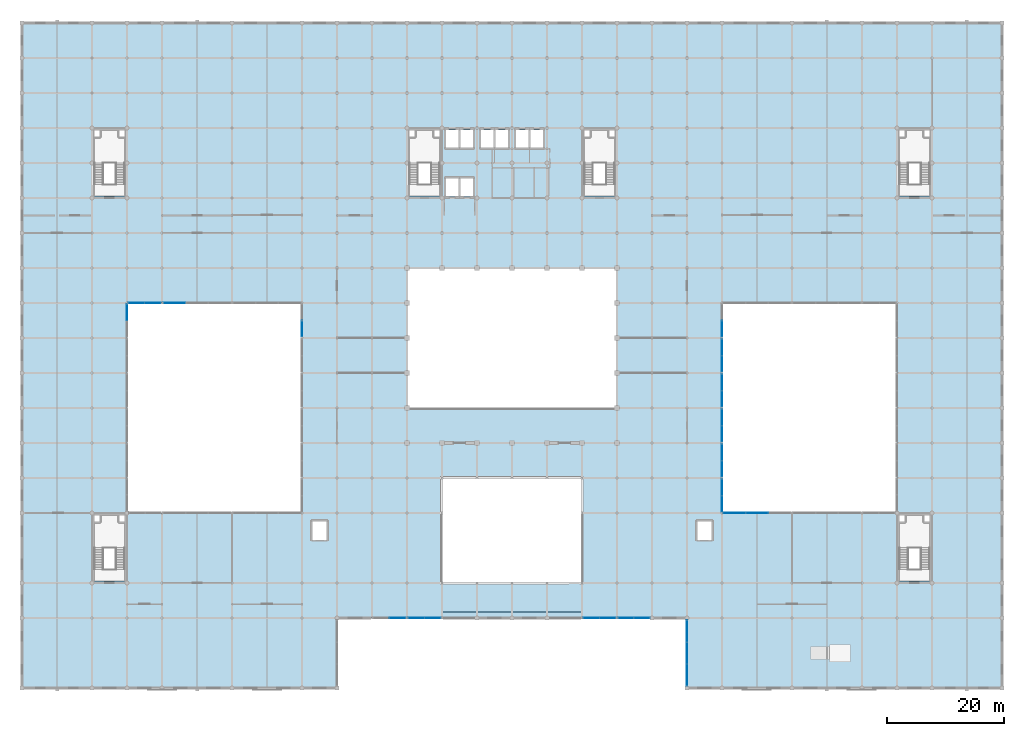
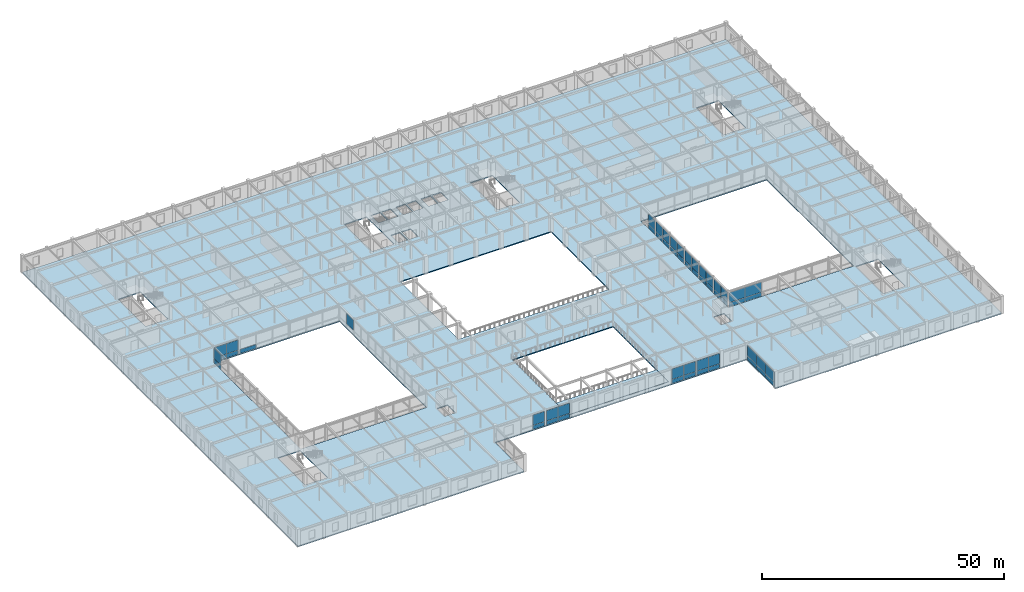
# One storey, part 94 of 108: 54 plates, 2 slabs, 16 elements without a shape of their own.
"""IFC4 building model written with IfcOpenShell, lengths in metres."""

import ifcopenshell
import ifcopenshell.guid

model = None  # the IFC model being written
_history = None  # IfcOwnerHistory: only IFC2X3 demands one
_inside = {}  # id of a spatial element -> (the spatial element, [elements in it])
_under = {}  # id of a project, library or spatial element -> (it, [spatial elements below it])
_declared = {}  # id of a project -> (the project, [libraries it declares])
_typed = {}  # id of a type object -> (the type object, [elements of that type])
_made_of = {}  # id of a material, layer set ... -> (it, [elements and type objects made of it])


def new_model(schema):
    """Start an empty IFC model of exactly this schema.

    Asked for "IFC4X3", IfcOpenShell would pick the latest addendum, in which some entities
    have other attributes; the version numbers below select the first issue.
    IFC2X3 requires an IfcOwnerHistory on every rooted entity: one is made here for all.
    """
    global model, _history
    if schema == "IFC4X3":
        model = ifcopenshell.file(schema_version=(4, 3, 0, 0))
    else:
        model = ifcopenshell.file(schema=schema)
    _inside.clear()
    _under.clear()
    _declared.clear()
    _typed.clear()
    _made_of.clear()
    _history = None
    if model.schema == "IFC2X3":
        org = make("IfcOrganization", Name="unknown")
        user = make(
            "IfcPersonAndOrganization",
            ThePerson=make("IfcPerson", FamilyName="unknown"),
            TheOrganization=org,
        )
        app = make(
            "IfcApplication",
            ApplicationDeveloper=org,
            Version="unknown",
            ApplicationFullName="unknown",
            ApplicationIdentifier="unknown",
        )
        _history = make(
            "IfcOwnerHistory",
            OwningUser=user,
            OwningApplication=app,
            ChangeAction="ADDED",
            CreationDate=0,
        )
    return model


def make(cls, **values):
    """One entity of the class cls with the attributes given. An attribute that is None is left unset."""
    return model.create_entity(
        cls, **{name: value for name, value in values.items() if value is not None}
    )


def rooted(cls, **values):
    """An entity with a GlobalId (a new one), such as an element, a storey or a relation."""
    return make(cls, GlobalId=ifcopenshell.guid.new(), OwnerHistory=_history, **values)


def si_unit(unit_type, name, prefix=None):
    """IfcSIUnit, for example si_unit("LENGTHUNIT", "METRE", prefix="MILLI")."""
    return make("IfcSIUnit", UnitType=unit_type, Prefix=prefix, Name=name)


def assignment(units):
    """IfcUnitAssignment: the units of a project."""
    return None if units is None else make("IfcUnitAssignment", Units=units)


def point(xyz):
    """IfcCartesianPoint."""
    return None if xyz is None else make("IfcCartesianPoint", Coordinates=xyz)


def direction(xyz):
    """IfcDirection."""
    return None if xyz is None else make("IfcDirection", DirectionRatios=xyz)


def frame(location, z_axis=None, x_axis=None):
    """IfcAxis2Placement3D, a coordinate frame: its origin and axes. An axis left out is left unset."""
    return make(
        "IfcAxis2Placement3D",
        Location=point(location),
        Axis=direction(z_axis),
        RefDirection=direction(x_axis),
    )


def frame_2d(location, x_axis=None):
    """IfcAxis2Placement2D, a coordinate frame in the plane: its origin and x axis."""
    return make(
        "IfcAxis2Placement2D", Location=point(location), RefDirection=direction(x_axis)
    )


def origin():
    """The frame at (0, 0, 0) with its axes left unset."""
    return frame((0.0, 0.0, 0.0))


def origin_2d():
    """The frame at (0, 0) in the plane with its x axis left unset."""
    return frame_2d((0.0, 0.0))


def place(relative_to, where):
    """IfcLocalPlacement: puts the frame where relative to a parent placement (None: the world)."""
    return make(
        "IfcLocalPlacement", PlacementRelTo=relative_to, RelativePlacement=where
    )


def context(
    kind, dimensions, precision=None, world=None, true_north=None, identifier=None
):
    """IfcGeometricRepresentationContext, for example the 3D "Model" context."""
    return make(
        "IfcGeometricRepresentationContext",
        ContextIdentifier=identifier,
        ContextType=kind,
        CoordinateSpaceDimension=dimensions,
        Precision=precision,
        WorldCoordinateSystem=world,
        TrueNorth=true_north,
    )


def subcontext(parent, identifier, kind, view, scale=None):
    """IfcGeometricRepresentationSubContext, for example "Body" below "Model"."""
    return make(
        "IfcGeometricRepresentationSubContext",
        ContextIdentifier=identifier,
        ContextType=kind,
        ParentContext=parent,
        TargetScale=scale,
        TargetView=view,
    )


def project(units=None, contexts=None):
    """IfcProject with its units and contexts."""
    return rooted(
        "IfcProject",
        Name="project",
        RepresentationContexts=contexts,
        UnitsInContext=assignment(units),
    )


def spatial(cls, under=None, at=None, **own):
    """A site, building, storey or space (cls), placed at a placement, below another one or the project."""
    s = rooted(cls, ObjectPlacement=at, **own)
    if under is not None:
        _under.setdefault(under.id(), (under, []))[1].append(s)
    return s


def polyline(points):
    """IfcPolyline through the points."""
    return make("IfcPolyline", Points=[point(p) for p in points])


def profile(cls, at=None, kind="AREA", **sizes):
    """A parametric profile (cls). Its sizes go by their IFC names, for example OverallWidth=200.0."""
    return make(cls, ProfileType=kind, Position=at, **sizes)


def rectangle(**sizes):
    """IfcRectangleProfileDef."""
    return profile("IfcRectangleProfileDef", **sizes)


def outline(outer, holes=None, kind="AREA"):
    """IfcArbitraryClosedProfileDef: a profile drawn as a closed curve; with holes, ...WithVoids."""
    if holes is None:
        return make("IfcArbitraryClosedProfileDef", ProfileType=kind, OuterCurve=outer)
    return make(
        "IfcArbitraryProfileDefWithVoids",
        ProfileType=kind,
        OuterCurve=outer,
        InnerCurves=holes,
    )


def extrude(swept, where, along, depth):
    """IfcExtrudedAreaSolid: the profile swept, set in the frame where, extruded along a direction by depth."""
    return make(
        "IfcExtrudedAreaSolid",
        SweptArea=swept,
        Position=where,
        ExtrudedDirection=direction(along),
        Depth=depth,
    )


def shape(context_of_items, identifier, shape_type, items):
    """IfcShapeRepresentation: the items that make up one representation, for example the "Body"."""
    return make(
        "IfcShapeRepresentation",
        ContextOfItems=context_of_items,
        RepresentationIdentifier=identifier,
        RepresentationType=shape_type,
        Items=items,
    )


def material(Name=None, Category=None):
    """IfcMaterial."""
    return make("IfcMaterial", Name=Name, Category=Category)


def layer(
    of_material, thickness, ventilated=None, Name=None, Category=None, Priority=None
):
    """IfcMaterialLayer: one layer of a wall or slab, of a material (None: an air gap)."""
    return make(
        "IfcMaterialLayer",
        Material=of_material,
        LayerThickness=thickness,
        IsVentilated=ventilated,
        Name=Name,
        Category=Category,
        Priority=Priority,
    )


def layer_set(layers, Name=None):
    """IfcMaterialLayerSet."""
    return make("IfcMaterialLayerSet", MaterialLayers=layers, LayerSetName=Name)


def made_of(thing, what):
    """Note that an element or type object is made of a material, layer set ...; save() writes the relation."""
    if what is not None:
        _made_of.setdefault(what.id(), (what, []))[1].append(thing)
    return thing


def type_object(cls, material=None, **own):
    """A type object (cls), such as IfcWallType, which elements share."""
    return made_of(rooted(cls, **own), material)


def element(
    cls,
    number,
    at=None,
    inside=None,
    cuts=None,
    type_object=None,
    material=None,
    context=None,
    identifier="Body",
    shape_type=None,
    held_by="IfcProductDefinitionShape",
    body=None,
    shapes=None,
    **own,
):
    """One element of the class cls, such as IfcWall. Its Tag is "e" and its number.

    at: its placement. inside: the storey or other place that contains it. cuts: it is an
    opening in that element (IfcRelVoidsElement). A single representation is given by context,
    identifier, shape_type and body (its items); several are given by shapes. held_by: the class
    of the entity that holds the representations. save() writes the other relations.
    """
    e = rooted(cls, Tag="e%d" % number, ObjectPlacement=at, **own)
    if body is not None:
        shapes = [shape(context, identifier, shape_type, body)]
    if shapes is not None:
        e.Representation = make(held_by, Representations=shapes)
    if inside is not None:
        _inside.setdefault(inside.id(), (inside, []))[1].append(e)
    if cuts is not None:
        rooted(
            "IfcRelVoidsElement", RelatingBuildingElement=cuts, RelatedOpeningElement=e
        )
    if type_object is not None:
        _typed.setdefault(type_object.id(), (type_object, []))[1].append(e)
    return made_of(e, material)


def aggregate(whole, parts):
    """IfcRelAggregates: a whole, such as a stair, and the parts it consists of."""
    return rooted("IfcRelAggregates", RelatingObject=whole, RelatedObjects=parts)


def save(model, path):
    """Write the relations noted so far, then the file.

    IfcRelAggregates (storeys below a building ...), IfcRelContainedInSpatialStructure (elements
    in a storey), IfcRelDefinesByType, IfcRelAssociatesMaterial and IfcRelDeclares: one each for
    every whole, place, type object, material and project.
    """
    for whole, parts in _under.values():
        aggregate(whole, parts)
    for where, things in _inside.values():
        rooted(
            "IfcRelContainedInSpatialStructure",
            RelatedElements=things,
            RelatingStructure=where,
        )
    for kind, things in _typed.values():
        rooted("IfcRelDefinesByType", RelatedObjects=things, RelatingType=kind)
    for what, things in _made_of.values():
        rooted("IfcRelAssociatesMaterial", RelatedObjects=things, RelatingMaterial=what)
    for by, libraries in _declared.values():
        rooted("IfcRelDeclares", RelatingContext=by, RelatedDefinitions=libraries)
    model.write(path)


model = new_model("IFC4")

# Units and contexts
model_context = context("Model", 3, precision=1e-05, world=origin(), true_north=direction((0.0, 1.0)))
body_context = subcontext(model_context, "Body", "Model", "MODEL_VIEW")
ifc_project = project(units=[si_unit("LENGTHUNIT", "METRE"), si_unit("AREAUNIT", "SQUARE_METRE"), si_unit("VOLUMEUNIT", "CUBIC_METRE"), si_unit("PLANEANGLEUNIT", "RADIAN"), si_unit("MASSUNIT", "GRAM", prefix="KILO")], contexts=[model_context])

# Site, building, storey
site_placement = place(None, origin())
site = spatial("IfcSite", under=ifc_project, at=site_placement, CompositionType="ELEMENT")
building_placement = place(site_placement, origin())
building = spatial("IfcBuilding", under=site, at=building_placement, Name="Zlatovratsky Civic Hall", CompositionType="ELEMENT")
storey_placement = place(building_placement, frame((0.0, 0.0, 12.0)))
storey = spatial("IfcBuildingStorey", under=building, at=storey_placement, Name="L03", CompositionType="ELEMENT", Elevation=12.0)

# Curtain wall, plates
ifc_material_1 = material(Name="Anodised bronze aluminium", Category="aluminium")
ifc_layer_1 = layer(ifc_material_1, 0.159912109375)
ifc_layer_set_1 = layer_set([ifc_layer_1], Name="Anodised bronze aluminium")
curtain_wall_type_1 = type_object("IfcCurtainWallType", Name="CurtainWall_Bronze_5700x3770_12", PredefinedType="NOTDEFINED", material=ifc_layer_set_1)
curtain_wall_1_placement = place(storey_placement, origin())
curtain_wall_1 = element("IfcCurtainWall", 1, at=curtain_wall_1_placement, inside=storey, type_object=curtain_wall_type_1, Name="CW-054", PredefinedType="NOTDEFINED")
ifc_material_2 = material(Name="Low-E laminated double glazing", Category="glass")
ifc_layer_2 = layer(ifc_material_2, 0.02392578125)
ifc_layer_set_2 = layer_set([ifc_layer_2], Name="Low-E laminated double glazing")
plate_type_1 = type_object("IfcPlateType", Name="Panel_CourtGlazing_24", PredefinedType="CURTAIN_PANEL", material=ifc_layer_set_2)
plate_1_placement = place(storey_placement, frame((19.58984375, 66.0, 0.06005859375), z_axis=(0.0, 0.0, 1.0), x_axis=(1.0, 0.0, 0.0)))
plate_1 = element("IfcPlate", 2, at=plate_1_placement, type_object=plate_type_1, Name="CW-12 panel 1.1", PredefinedType="CURTAIN_PANEL", context=body_context, shape_type="SweptSolid", body=[
    extrude(rectangle(XDim=2.760498046875, YDim=0.02392578125, at=origin_2d()), origin(), (0.0, 0.0, 1.0), 1.010009765625),
])
plate_2_placement = place(storey_placement, frame((19.58984375, 66.0, 1.1298828125), z_axis=(0.0, 0.0, 1.0), x_axis=(1.0, 0.0, 0.0)))
plate_2 = element("IfcPlate", 3, at=plate_2_placement, type_object=plate_type_1, Name="CW-12 panel 1.2", PredefinedType="CURTAIN_PANEL", context=body_context, shape_type="SweptSolid", body=[
    extrude(rectangle(XDim=2.760498046875, YDim=0.02392578125, at=origin_2d()), origin(), (0.0, 0.0, 1.0), 2.580078125),
])
plate_3_placement = place(storey_placement, frame((22.41015625, 66.0, 0.06005859375), z_axis=(0.0, 0.0, 1.0), x_axis=(1.0, 0.0, 0.0)))
plate_3 = element("IfcPlate", 4, at=plate_3_placement, type_object=plate_type_1, Name="CW-12 panel 2.1", PredefinedType="CURTAIN_PANEL", context=body_context, shape_type="SweptSolid", body=[
    extrude(rectangle(XDim=2.760498046875, YDim=0.02392578125, at=origin_2d()), origin(), (0.0, 0.0, 1.0), 1.010009765625),
])
plate_4_placement = place(storey_placement, frame((22.41015625, 66.0, 1.1298828125), z_axis=(0.0, 0.0, 1.0), x_axis=(1.0, 0.0, 0.0)))
plate_4 = element("IfcPlate", 5, at=plate_4_placement, type_object=plate_type_1, Name="CW-12 panel 2.2", PredefinedType="CURTAIN_PANEL", context=body_context, shape_type="SweptSolid", body=[
    extrude(rectangle(XDim=2.760498046875, YDim=0.02392578125, at=origin_2d()), origin(), (0.0, 0.0, 1.0), 2.580078125),
])
aggregate(curtain_wall_1, [plate_1, plate_2, plate_3, plate_4])

# Curtain wall, plate
ifc_layer_3 = layer(ifc_material_1, 0.159912109375)
ifc_layer_set_3 = layer_set([ifc_layer_3], Name="Anodised bronze aluminium")
curtain_wall_type_2 = type_object("IfcCurtainWallType", Name="CurtainWall_Bronze_11700x3770_11", PredefinedType="NOTDEFINED", material=ifc_layer_set_3)
curtain_wall_2_placement = place(storey_placement, origin())
curtain_wall_2 = element("IfcCurtainWall", 6, at=curtain_wall_2_placement, inside=storey, type_object=curtain_wall_type_2, Name="CW-055", PredefinedType="NOTDEFINED")
plate_5_placement = place(storey_placement, frame((26.11474609375, 66.0, 0.06005859375), z_axis=(0.0, 0.0, 1.0), x_axis=(1.0, 0.0, 0.0)))
plate_5 = element("IfcPlate", 7, at=plate_5_placement, type_object=plate_type_1, Name="CW-11 panel 1.1", PredefinedType="CURTAIN_PANEL", context=body_context, shape_type="SweptSolid", body=[
    extrude(rectangle(XDim=3.810302734375, YDim=0.02392578125, at=origin_2d()), origin(), (0.0, 0.0, 1.0), 1.010009765625),
])
aggregate(curtain_wall_2, [plate_5])

# Curtain wall, plates
curtain_wall_3_placement = place(storey_placement, origin())
curtain_wall_3 = element("IfcCurtainWall", 8, at=curtain_wall_3_placement, inside=storey, type_object=curtain_wall_type_1, Name="CW-062", PredefinedType="NOTDEFINED")
plate_6_placement = place(storey_placement, frame((18.0, 64.410888671875, 0.06005859375), z_axis=(0.0, 0.0, 1.0), x_axis=(0.0, 1.0, 0.0)))
plate_6 = element("IfcPlate", 9, at=plate_6_placement, type_object=plate_type_1, Name="CW-12 panel 2.1", PredefinedType="CURTAIN_PANEL", context=body_context, shape_type="SweptSolid", body=[
    extrude(rectangle(XDim=2.761962890625, YDim=0.02392578125, at=origin_2d()), origin(), (0.0, 0.0, 1.0), 1.010009765625),
])
plate_7_placement = place(storey_placement, frame((18.0, 64.410888671875, 1.1298828125), z_axis=(0.0, 0.0, 1.0), x_axis=(0.0, 1.0, 0.0)))
plate_7 = element("IfcPlate", 10, at=plate_7_placement, type_object=plate_type_1, Name="CW-12 panel 2.2", PredefinedType="CURTAIN_PANEL", context=body_context, shape_type="SweptSolid", body=[
    extrude(rectangle(XDim=2.761962890625, YDim=0.02392578125, at=origin_2d()), origin(), (0.0, 0.0, 1.0), 2.580078125),
])
aggregate(curtain_wall_3, [plate_6, plate_7])

# Curtain wall, plate
curtain_wall_4_placement = place(storey_placement, origin())
curtain_wall_4 = element("IfcCurtainWall", 11, at=curtain_wall_4_placement, inside=storey, type_object=curtain_wall_type_1, Name="CW-068", PredefinedType="NOTDEFINED")
plate_8_placement = place(storey_placement, frame((48.0, 61.589111328125, 1.1298828125), z_axis=(0.0, 0.0, 1.0), x_axis=(0.0, 1.0, 0.0)))
plate_8 = element("IfcPlate", 12, at=plate_8_placement, type_object=plate_type_1, Name="CW-12 panel 1.2", PredefinedType="CURTAIN_PANEL", context=body_context, shape_type="SweptSolid", body=[
    extrude(rectangle(XDim=2.761962890625, YDim=0.02392578125, at=origin_2d()), origin(), (0.0, 0.0, 1.0), 2.580078125),
])
aggregate(curtain_wall_4, [plate_8])

# Curtain wall, plates
curtain_wall_5_placement = place(storey_placement, origin())
curtain_wall_5 = element("IfcCurtainWall", 13, at=curtain_wall_5_placement, inside=storey, type_object=curtain_wall_type_2, Name="CW-069", PredefinedType="NOTDEFINED")
plate_9_placement = place(storey_placement, frame((122.11474609375, 30.0, 0.06005859375), z_axis=(0.0, 0.0, 1.0), x_axis=(1.0, 0.0, 0.0)))
plate_9 = element("IfcPlate", 14, at=plate_9_placement, type_object=plate_type_1, Name="CW-11 panel 1.1", PredefinedType="CURTAIN_PANEL", context=body_context, shape_type="SweptSolid", body=[
    extrude(rectangle(XDim=3.810302734375, YDim=0.02392578125, at=origin_2d()), origin(), (0.0, 0.0, 1.0), 1.010009765625),
])
plate_10_placement = place(storey_placement, frame((122.11474609375, 30.0, 1.1298828125), z_axis=(0.0, 0.0, 1.0), x_axis=(1.0, 0.0, 0.0)))
plate_10 = element("IfcPlate", 15, at=plate_10_placement, type_object=plate_type_1, Name="CW-11 panel 1.2", PredefinedType="CURTAIN_PANEL", context=body_context, shape_type="SweptSolid", body=[
    extrude(rectangle(XDim=3.810302734375, YDim=0.02392578125, at=origin_2d()), origin(), (0.0, 0.0, 1.0), 2.580078125),
])
plate_11_placement = place(storey_placement, frame((126.0, 30.0, 0.06005859375), z_axis=(0.0, 0.0, 1.0), x_axis=(1.0, 0.0, 0.0)))
plate_11 = element("IfcPlate", 16, at=plate_11_placement, type_object=plate_type_1, Name="CW-11 panel 2.1", PredefinedType="CURTAIN_PANEL", context=body_context, shape_type="SweptSolid", body=[
    extrude(rectangle(XDim=3.84033203125, YDim=0.02392578125, at=origin_2d()), origin(), (0.0, 0.0, 1.0), 1.010009765625),
])
plate_12_placement = place(storey_placement, frame((126.0, 30.0, 1.1298828125), z_axis=(0.0, 0.0, 1.0), x_axis=(1.0, 0.0, 0.0)))
plate_12 = element("IfcPlate", 17, at=plate_12_placement, type_object=plate_type_1, Name="CW-11 panel 2.2", PredefinedType="CURTAIN_PANEL", context=body_context, shape_type="SweptSolid", body=[
    extrude(rectangle(XDim=3.84033203125, YDim=0.02392578125, at=origin_2d()), origin(), (0.0, 0.0, 1.0), 2.580078125),
])
aggregate(curtain_wall_5, [plate_9, plate_10, plate_11, plate_12])

curtain_wall_6_placement = place(storey_placement, origin())
curtain_wall_6 = element("IfcCurtainWall", 18, at=curtain_wall_6_placement, inside=storey, type_object=curtain_wall_type_1, Name="CW-075", PredefinedType="NOTDEFINED")
plate_13_placement = place(storey_placement, frame((120.0, 31.589111328125, 0.06005859375), z_axis=(0.0, 0.0, 1.0), x_axis=(0.0, 1.0, 0.0)))
plate_13 = element("IfcPlate", 19, at=plate_13_placement, type_object=plate_type_1, Name="CW-12 panel 1.1", PredefinedType="CURTAIN_PANEL", context=body_context, shape_type="SweptSolid", body=[
    extrude(rectangle(XDim=2.761962890625, YDim=0.02392578125, at=origin_2d()), origin(), (0.0, 0.0, 1.0), 1.010009765625),
])
plate_14_placement = place(storey_placement, frame((120.0, 31.589111328125, 1.1298828125), z_axis=(0.0, 0.0, 1.0), x_axis=(0.0, 1.0, 0.0)))
plate_14 = element("IfcPlate", 20, at=plate_14_placement, type_object=plate_type_1, Name="CW-12 panel 1.2", PredefinedType="CURTAIN_PANEL", context=body_context, shape_type="SweptSolid", body=[
    extrude(rectangle(XDim=2.761962890625, YDim=0.02392578125, at=origin_2d()), origin(), (0.0, 0.0, 1.0), 2.580078125),
])
plate_15_placement = place(storey_placement, frame((120.0, 34.410888671875, 0.06005859375), z_axis=(0.0, 0.0, 1.0), x_axis=(0.0, 1.0, 0.0)))
plate_15 = element("IfcPlate", 21, at=plate_15_placement, type_object=plate_type_1, Name="CW-12 panel 2.1", PredefinedType="CURTAIN_PANEL", context=body_context, shape_type="SweptSolid", body=[
    extrude(rectangle(XDim=2.761962890625, YDim=0.02392578125, at=origin_2d()), origin(), (0.0, 0.0, 1.0), 1.010009765625),
])
plate_16_placement = place(storey_placement, frame((120.0, 34.410888671875, 1.1298828125), z_axis=(0.0, 0.0, 1.0), x_axis=(0.0, 1.0, 0.0)))
plate_16 = element("IfcPlate", 22, at=plate_16_placement, type_object=plate_type_1, Name="CW-12 panel 2.2", PredefinedType="CURTAIN_PANEL", context=body_context, shape_type="SweptSolid", body=[
    extrude(rectangle(XDim=2.761962890625, YDim=0.02392578125, at=origin_2d()), origin(), (0.0, 0.0, 1.0), 2.580078125),
])
aggregate(curtain_wall_6, [plate_13, plate_14, plate_15, plate_16])

curtain_wall_7_placement = place(storey_placement, origin())
curtain_wall_7 = element("IfcCurtainWall", 23, at=curtain_wall_7_placement, inside=storey, type_object=curtain_wall_type_1, Name="CW-076", PredefinedType="NOTDEFINED")
plate_17_placement = place(storey_placement, frame((120.0, 37.589111328125, 0.06005859375), z_axis=(0.0, 0.0, 1.0), x_axis=(0.0, 1.0, 0.0)))
plate_17 = element("IfcPlate", 24, at=plate_17_placement, type_object=plate_type_1, Name="CW-12 panel 1.1", PredefinedType="CURTAIN_PANEL", context=body_context, shape_type="SweptSolid", body=[
    extrude(rectangle(XDim=2.761962890625, YDim=0.02392578125, at=origin_2d()), origin(), (0.0, 0.0, 1.0), 1.010009765625),
])
plate_18_placement = place(storey_placement, frame((120.0, 37.589111328125, 1.1298828125), z_axis=(0.0, 0.0, 1.0), x_axis=(0.0, 1.0, 0.0)))
plate_18 = element("IfcPlate", 25, at=plate_18_placement, type_object=plate_type_1, Name="CW-12 panel 1.2", PredefinedType="CURTAIN_PANEL", context=body_context, shape_type="SweptSolid", body=[
    extrude(rectangle(XDim=2.761962890625, YDim=0.02392578125, at=origin_2d()), origin(), (0.0, 0.0, 1.0), 2.580078125),
])
plate_19_placement = place(storey_placement, frame((120.0, 40.410888671875, 0.06005859375), z_axis=(0.0, 0.0, 1.0), x_axis=(0.0, 1.0, 0.0)))
plate_19 = element("IfcPlate", 26, at=plate_19_placement, type_object=plate_type_1, Name="CW-12 panel 2.1", PredefinedType="CURTAIN_PANEL", context=body_context, shape_type="SweptSolid", body=[
    extrude(rectangle(XDim=2.761962890625, YDim=0.02392578125, at=origin_2d()), origin(), (0.0, 0.0, 1.0), 1.010009765625),
])
plate_20_placement = place(storey_placement, frame((120.0, 40.410888671875, 1.1298828125), z_axis=(0.0, 0.0, 1.0), x_axis=(0.0, 1.0, 0.0)))
plate_20 = element("IfcPlate", 27, at=plate_20_placement, type_object=plate_type_1, Name="CW-12 panel 2.2", PredefinedType="CURTAIN_PANEL", context=body_context, shape_type="SweptSolid", body=[
    extrude(rectangle(XDim=2.761962890625, YDim=0.02392578125, at=origin_2d()), origin(), (0.0, 0.0, 1.0), 2.580078125),
])
aggregate(curtain_wall_7, [plate_17, plate_18, plate_19, plate_20])

curtain_wall_8_placement = place(storey_placement, origin())
curtain_wall_8 = element("IfcCurtainWall", 28, at=curtain_wall_8_placement, inside=storey, type_object=curtain_wall_type_1, Name="CW-077", PredefinedType="NOTDEFINED")
plate_21_placement = place(storey_placement, frame((120.0, 43.589111328125, 0.06005859375), z_axis=(0.0, 0.0, 1.0), x_axis=(0.0, 1.0, 0.0)))
plate_21 = element("IfcPlate", 29, at=plate_21_placement, type_object=plate_type_1, Name="CW-12 panel 1.1", PredefinedType="CURTAIN_PANEL", context=body_context, shape_type="SweptSolid", body=[
    extrude(rectangle(XDim=2.761962890625, YDim=0.02392578125, at=origin_2d()), origin(), (0.0, 0.0, 1.0), 1.010009765625),
])
plate_22_placement = place(storey_placement, frame((120.0, 43.589111328125, 1.1298828125), z_axis=(0.0, 0.0, 1.0), x_axis=(0.0, 1.0, 0.0)))
plate_22 = element("IfcPlate", 30, at=plate_22_placement, type_object=plate_type_1, Name="CW-12 panel 1.2", PredefinedType="CURTAIN_PANEL", context=body_context, shape_type="SweptSolid", body=[
    extrude(rectangle(XDim=2.761962890625, YDim=0.02392578125, at=origin_2d()), origin(), (0.0, 0.0, 1.0), 2.580078125),
])
plate_23_placement = place(storey_placement, frame((120.0, 46.410888671875, 0.06005859375), z_axis=(0.0, 0.0, 1.0), x_axis=(0.0, 1.0, 0.0)))
plate_23 = element("IfcPlate", 31, at=plate_23_placement, type_object=plate_type_1, Name="CW-12 panel 2.1", PredefinedType="CURTAIN_PANEL", context=body_context, shape_type="SweptSolid", body=[
    extrude(rectangle(XDim=2.761962890625, YDim=0.02392578125, at=origin_2d()), origin(), (0.0, 0.0, 1.0), 1.010009765625),
])
plate_24_placement = place(storey_placement, frame((120.0, 46.410888671875, 1.1298828125), z_axis=(0.0, 0.0, 1.0), x_axis=(0.0, 1.0, 0.0)))
plate_24 = element("IfcPlate", 32, at=plate_24_placement, type_object=plate_type_1, Name="CW-12 panel 2.2", PredefinedType="CURTAIN_PANEL", context=body_context, shape_type="SweptSolid", body=[
    extrude(rectangle(XDim=2.761962890625, YDim=0.02392578125, at=origin_2d()), origin(), (0.0, 0.0, 1.0), 2.580078125),
])
aggregate(curtain_wall_8, [plate_21, plate_22, plate_23, plate_24])

curtain_wall_9_placement = place(storey_placement, origin())
curtain_wall_9 = element("IfcCurtainWall", 33, at=curtain_wall_9_placement, inside=storey, type_object=curtain_wall_type_1, Name="CW-078", PredefinedType="NOTDEFINED")
plate_25_placement = place(storey_placement, frame((120.0, 49.589111328125, 0.06005859375), z_axis=(0.0, 0.0, 1.0), x_axis=(0.0, 1.0, 0.0)))
plate_25 = element("IfcPlate", 34, at=plate_25_placement, type_object=plate_type_1, Name="CW-12 panel 1.1", PredefinedType="CURTAIN_PANEL", context=body_context, shape_type="SweptSolid", body=[
    extrude(rectangle(XDim=2.761962890625, YDim=0.02392578125, at=origin_2d()), origin(), (0.0, 0.0, 1.0), 1.010009765625),
])
plate_26_placement = place(storey_placement, frame((120.0, 49.589111328125, 1.1298828125), z_axis=(0.0, 0.0, 1.0), x_axis=(0.0, 1.0, 0.0)))
plate_26 = element("IfcPlate", 35, at=plate_26_placement, type_object=plate_type_1, Name="CW-12 panel 1.2", PredefinedType="CURTAIN_PANEL", context=body_context, shape_type="SweptSolid", body=[
    extrude(rectangle(XDim=2.761962890625, YDim=0.02392578125, at=origin_2d()), origin(), (0.0, 0.0, 1.0), 2.580078125),
])
plate_27_placement = place(storey_placement, frame((120.0, 52.410888671875, 0.06005859375), z_axis=(0.0, 0.0, 1.0), x_axis=(0.0, 1.0, 0.0)))
plate_27 = element("IfcPlate", 36, at=plate_27_placement, type_object=plate_type_1, Name="CW-12 panel 2.1", PredefinedType="CURTAIN_PANEL", context=body_context, shape_type="SweptSolid", body=[
    extrude(rectangle(XDim=2.761962890625, YDim=0.02392578125, at=origin_2d()), origin(), (0.0, 0.0, 1.0), 1.010009765625),
])
plate_28_placement = place(storey_placement, frame((120.0, 52.410888671875, 1.1298828125), z_axis=(0.0, 0.0, 1.0), x_axis=(0.0, 1.0, 0.0)))
plate_28 = element("IfcPlate", 37, at=plate_28_placement, type_object=plate_type_1, Name="CW-12 panel 2.2", PredefinedType="CURTAIN_PANEL", context=body_context, shape_type="SweptSolid", body=[
    extrude(rectangle(XDim=2.761962890625, YDim=0.02392578125, at=origin_2d()), origin(), (0.0, 0.0, 1.0), 2.580078125),
])
aggregate(curtain_wall_9, [plate_25, plate_26, plate_27, plate_28])

curtain_wall_10_placement = place(storey_placement, origin())
curtain_wall_10 = element("IfcCurtainWall", 38, at=curtain_wall_10_placement, inside=storey, type_object=curtain_wall_type_1, Name="CW-079", PredefinedType="NOTDEFINED")
plate_29_placement = place(storey_placement, frame((120.0, 55.589111328125, 0.06005859375), z_axis=(0.0, 0.0, 1.0), x_axis=(0.0, 1.0, 0.0)))
plate_29 = element("IfcPlate", 39, at=plate_29_placement, type_object=plate_type_1, Name="CW-12 panel 1.1", PredefinedType="CURTAIN_PANEL", context=body_context, shape_type="SweptSolid", body=[
    extrude(rectangle(XDim=2.761962890625, YDim=0.02392578125, at=origin_2d()), origin(), (0.0, 0.0, 1.0), 1.010009765625),
])
plate_30_placement = place(storey_placement, frame((120.0, 55.589111328125, 1.1298828125), z_axis=(0.0, 0.0, 1.0), x_axis=(0.0, 1.0, 0.0)))
plate_30 = element("IfcPlate", 40, at=plate_30_placement, type_object=plate_type_1, Name="CW-12 panel 1.2", PredefinedType="CURTAIN_PANEL", context=body_context, shape_type="SweptSolid", body=[
    extrude(rectangle(XDim=2.761962890625, YDim=0.02392578125, at=origin_2d()), origin(), (0.0, 0.0, 1.0), 2.580078125),
])
plate_31_placement = place(storey_placement, frame((120.0, 58.410888671875, 0.06005859375), z_axis=(0.0, 0.0, 1.0), x_axis=(0.0, 1.0, 0.0)))
plate_31 = element("IfcPlate", 41, at=plate_31_placement, type_object=plate_type_1, Name="CW-12 panel 2.1", PredefinedType="CURTAIN_PANEL", context=body_context, shape_type="SweptSolid", body=[
    extrude(rectangle(XDim=2.761962890625, YDim=0.02392578125, at=origin_2d()), origin(), (0.0, 0.0, 1.0), 1.010009765625),
])
plate_32_placement = place(storey_placement, frame((120.0, 58.410888671875, 1.1298828125), z_axis=(0.0, 0.0, 1.0), x_axis=(0.0, 1.0, 0.0)))
plate_32 = element("IfcPlate", 42, at=plate_32_placement, type_object=plate_type_1, Name="CW-12 panel 2.2", PredefinedType="CURTAIN_PANEL", context=body_context, shape_type="SweptSolid", body=[
    extrude(rectangle(XDim=2.761962890625, YDim=0.02392578125, at=origin_2d()), origin(), (0.0, 0.0, 1.0), 2.580078125),
])
aggregate(curtain_wall_10, [plate_29, plate_30, plate_31, plate_32])

curtain_wall_11_placement = place(storey_placement, origin())
curtain_wall_11 = element("IfcCurtainWall", 43, at=curtain_wall_11_placement, inside=storey, type_object=curtain_wall_type_1, Name="CW-080", PredefinedType="NOTDEFINED")
plate_33_placement = place(storey_placement, frame((120.0, 61.589111328125, 0.06005859375), z_axis=(0.0, 0.0, 1.0), x_axis=(0.0, 1.0, 0.0)))
plate_33 = element("IfcPlate", 44, at=plate_33_placement, type_object=plate_type_1, Name="CW-12 panel 1.1", PredefinedType="CURTAIN_PANEL", context=body_context, shape_type="SweptSolid", body=[
    extrude(rectangle(XDim=2.761962890625, YDim=0.02392578125, at=origin_2d()), origin(), (0.0, 0.0, 1.0), 1.010009765625),
])
plate_34_placement = place(storey_placement, frame((120.0, 61.589111328125, 1.1298828125), z_axis=(0.0, 0.0, 1.0), x_axis=(0.0, 1.0, 0.0)))
plate_34 = element("IfcPlate", 45, at=plate_34_placement, type_object=plate_type_1, Name="CW-12 panel 1.2", PredefinedType="CURTAIN_PANEL", context=body_context, shape_type="SweptSolid", body=[
    extrude(rectangle(XDim=2.761962890625, YDim=0.02392578125, at=origin_2d()), origin(), (0.0, 0.0, 1.0), 2.580078125),
])
aggregate(curtain_wall_11, [plate_33, plate_34])

ifc_layer_4 = layer(ifc_material_1, 0.159912109375)
ifc_layer_set_4 = layer_set([ifc_layer_4], Name="Anodised bronze aluminium")
curtain_wall_type_3 = type_object("IfcCurtainWallType", Name="CurtainWall_Bronze_11300x3770_07", PredefinedType="NOTDEFINED", material=ifc_layer_set_4)
curtain_wall_12_placement = place(storey_placement, origin())
curtain_wall_12 = element("IfcCurtainWall", 46, at=curtain_wall_12_placement, inside=storey, type_object=curtain_wall_type_3, Name="CW-046", PredefinedType="NOTDEFINED")
ifc_material_3 = material(Name="Solar-control triple glazing", Category="glass")
ifc_layer_5 = layer(ifc_material_3, 0.028076171875)
ifc_layer_set_5 = layer_set([ifc_layer_5], Name="Solar-control triple glazing")
plate_type_2 = type_object("IfcPlateType", Name="Panel_TowerTripleGlazing_28", PredefinedType="CURTAIN_PANEL", material=ifc_layer_set_5)
plate_35_placement = place(storey_placement, frame((114.0, 2.248291015625, 0.06005859375), z_axis=(0.0, 0.0, 1.0), x_axis=(0.0, 1.0, 0.0)))
plate_35 = element("IfcPlate", 47, at=plate_35_placement, type_object=plate_type_2, Name="CW-07 panel 1.1", PredefinedType="CURTAIN_PANEL", context=body_context, shape_type="SweptSolid", body=[
    extrude(rectangle(XDim=3.6767578125, YDim=0.028076171875, at=origin_2d()), origin(), (0.0, 0.0, 1.0), 1.010009765625),
])
plate_36_placement = place(storey_placement, frame((114.0, 2.248291015625, 1.1298828125), z_axis=(0.0, 0.0, 1.0), x_axis=(0.0, 1.0, 0.0)))
plate_36 = element("IfcPlate", 48, at=plate_36_placement, type_object=plate_type_2, Name="CW-07 panel 1.2", PredefinedType="CURTAIN_PANEL", context=body_context, shape_type="SweptSolid", body=[
    extrude(rectangle(XDim=3.6767578125, YDim=0.028076171875, at=origin_2d()), origin(), (0.0, 0.0, 1.0), 2.580078125),
])
plate_37_placement = place(storey_placement, frame((114.0, 6.0, 0.06005859375), z_axis=(0.0, 0.0, 1.0), x_axis=(0.0, 1.0, 0.0)))
plate_37 = element("IfcPlate", 49, at=plate_37_placement, type_object=plate_type_2, Name="CW-07 panel 2.1", PredefinedType="CURTAIN_PANEL", context=body_context, shape_type="SweptSolid", body=[
    extrude(rectangle(XDim=3.706787109375, YDim=0.028076171875, at=origin_2d()), origin(), (0.0, 0.0, 1.0), 1.010009765625),
])
plate_38_placement = place(storey_placement, frame((114.0, 6.0, 1.1298828125), z_axis=(0.0, 0.0, 1.0), x_axis=(0.0, 1.0, 0.0)))
plate_38 = element("IfcPlate", 50, at=plate_38_placement, type_object=plate_type_2, Name="CW-07 panel 2.2", PredefinedType="CURTAIN_PANEL", context=body_context, shape_type="SweptSolid", body=[
    extrude(rectangle(XDim=3.706787109375, YDim=0.028076171875, at=origin_2d()), origin(), (0.0, 0.0, 1.0), 2.580078125),
])
plate_39_placement = place(storey_placement, frame((114.0, 9.751708984375, 0.06005859375), z_axis=(0.0, 0.0, 1.0), x_axis=(0.0, 1.0, 0.0)))
plate_39 = element("IfcPlate", 51, at=plate_39_placement, type_object=plate_type_2, Name="CW-07 panel 3.1", PredefinedType="CURTAIN_PANEL", context=body_context, shape_type="SweptSolid", body=[
    extrude(rectangle(XDim=3.6767578125, YDim=0.028076171875, at=origin_2d()), origin(), (0.0, 0.0, 1.0), 1.010009765625),
])
plate_40_placement = place(storey_placement, frame((114.0, 9.751708984375, 1.1298828125), z_axis=(0.0, 0.0, 1.0), x_axis=(0.0, 1.0, 0.0)))
plate_40 = element("IfcPlate", 52, at=plate_40_placement, type_object=plate_type_2, Name="CW-07 panel 3.2", PredefinedType="CURTAIN_PANEL", context=body_context, shape_type="SweptSolid", body=[
    extrude(rectangle(XDim=3.6767578125, YDim=0.028076171875, at=origin_2d()), origin(), (0.0, 0.0, 1.0), 2.580078125),
])
aggregate(curtain_wall_12, [plate_35, plate_36, plate_37, plate_38, plate_39, plate_40])

ifc_layer_6 = layer(ifc_material_1, 0.159912109375)
ifc_layer_set_6 = layer_set([ifc_layer_6], Name="Anodised bronze aluminium")
curtain_wall_type_4 = type_object("IfcCurtainWallType", Name="CurtainWall_Bronze_5700x3770_08", PredefinedType="NOTDEFINED", material=ifc_layer_set_6)
curtain_wall_13_placement = place(storey_placement, origin())
curtain_wall_13 = element("IfcCurtainWall", 53, at=curtain_wall_13_placement, inside=storey, type_object=curtain_wall_type_4, Name="CW-047", PredefinedType="NOTDEFINED")
plate_41_placement = place(storey_placement, frame((64.41015625, 12.0, 0.06005859375), z_axis=(0.0, 0.0, 1.0), x_axis=(1.0, 0.0, 0.0)))
plate_41 = element("IfcPlate", 54, at=plate_41_placement, type_object=plate_type_2, Name="CW-08 panel 2.1", PredefinedType="CURTAIN_PANEL", context=body_context, shape_type="SweptSolid", body=[
    extrude(rectangle(XDim=2.760498046875, YDim=0.028076171875, at=origin_2d()), origin(), (0.0, 0.0, 1.0), 1.010009765625),
])
plate_42_placement = place(storey_placement, frame((64.41015625, 12.0, 1.1298828125), z_axis=(0.0, 0.0, 1.0), x_axis=(1.0, 0.0, 0.0)))
plate_42 = element("IfcPlate", 55, at=plate_42_placement, type_object=plate_type_2, Name="CW-08 panel 2.2", PredefinedType="CURTAIN_PANEL", context=body_context, shape_type="SweptSolid", body=[
    extrude(rectangle(XDim=2.760498046875, YDim=0.028076171875, at=origin_2d()), origin(), (0.0, 0.0, 1.0), 2.580078125),
])
aggregate(curtain_wall_13, [plate_41, plate_42])

curtain_wall_14_placement = place(storey_placement, origin())
curtain_wall_14 = element("IfcCurtainWall", 56, at=curtain_wall_14_placement, inside=storey, type_object=curtain_wall_type_4, Name="CW-048", PredefinedType="NOTDEFINED")
plate_43_placement = place(storey_placement, frame((67.58984375, 12.0, 0.06005859375), z_axis=(0.0, 0.0, 1.0), x_axis=(1.0, 0.0, 0.0)))
plate_43 = element("IfcPlate", 57, at=plate_43_placement, type_object=plate_type_2, Name="CW-08 panel 1.1", PredefinedType="CURTAIN_PANEL", context=body_context, shape_type="SweptSolid", body=[
    extrude(rectangle(XDim=2.760498046875, YDim=0.028076171875, at=origin_2d()), origin(), (0.0, 0.0, 1.0), 1.010009765625),
])
plate_44_placement = place(storey_placement, frame((67.58984375, 12.0, 1.1298828125), z_axis=(0.0, 0.0, 1.0), x_axis=(1.0, 0.0, 0.0)))
plate_44 = element("IfcPlate", 58, at=plate_44_placement, type_object=plate_type_2, Name="CW-08 panel 1.2", PredefinedType="CURTAIN_PANEL", context=body_context, shape_type="SweptSolid", body=[
    extrude(rectangle(XDim=2.760498046875, YDim=0.028076171875, at=origin_2d()), origin(), (0.0, 0.0, 1.0), 2.580078125),
])
plate_45_placement = place(storey_placement, frame((70.41015625, 12.0, 0.06005859375), z_axis=(0.0, 0.0, 1.0), x_axis=(1.0, 0.0, 0.0)))
plate_45 = element("IfcPlate", 59, at=plate_45_placement, type_object=plate_type_2, Name="CW-08 panel 2.1", PredefinedType="CURTAIN_PANEL", context=body_context, shape_type="SweptSolid", body=[
    extrude(rectangle(XDim=2.760498046875, YDim=0.028076171875, at=origin_2d()), origin(), (0.0, 0.0, 1.0), 1.010009765625),
])
plate_46_placement = place(storey_placement, frame((70.41015625, 12.0, 1.1298828125), z_axis=(0.0, 0.0, 1.0), x_axis=(1.0, 0.0, 0.0)))
plate_46 = element("IfcPlate", 60, at=plate_46_placement, type_object=plate_type_2, Name="CW-08 panel 2.2", PredefinedType="CURTAIN_PANEL", context=body_context, shape_type="SweptSolid", body=[
    extrude(rectangle(XDim=2.760498046875, YDim=0.028076171875, at=origin_2d()), origin(), (0.0, 0.0, 1.0), 2.580078125),
])
aggregate(curtain_wall_14, [plate_43, plate_44, plate_45, plate_46])

curtain_wall_15_placement = place(storey_placement, origin())
curtain_wall_15 = element("IfcCurtainWall", 61, at=curtain_wall_15_placement, inside=storey, type_object=curtain_wall_type_4, Name="CW-049", PredefinedType="NOTDEFINED")
plate_47_placement = place(storey_placement, frame((97.58984375, 12.0, 0.06005859375), z_axis=(0.0, 0.0, 1.0), x_axis=(1.0, 0.0, 0.0)))
plate_47 = element("IfcPlate", 62, at=plate_47_placement, type_object=plate_type_2, Name="CW-08 panel 1.1", PredefinedType="CURTAIN_PANEL", context=body_context, shape_type="SweptSolid", body=[
    extrude(rectangle(XDim=2.760498046875, YDim=0.028076171875, at=origin_2d()), origin(), (0.0, 0.0, 1.0), 1.010009765625),
])
plate_48_placement = place(storey_placement, frame((97.58984375, 12.0, 1.1298828125), z_axis=(0.0, 0.0, 1.0), x_axis=(1.0, 0.0, 0.0)))
plate_48 = element("IfcPlate", 63, at=plate_48_placement, type_object=plate_type_2, Name="CW-08 panel 1.2", PredefinedType="CURTAIN_PANEL", context=body_context, shape_type="SweptSolid", body=[
    extrude(rectangle(XDim=2.760498046875, YDim=0.028076171875, at=origin_2d()), origin(), (0.0, 0.0, 1.0), 2.580078125),
])
plate_49_placement = place(storey_placement, frame((100.41015625, 12.0, 0.06005859375), z_axis=(0.0, 0.0, 1.0), x_axis=(1.0, 0.0, 0.0)))
plate_49 = element("IfcPlate", 64, at=plate_49_placement, type_object=plate_type_2, Name="CW-08 panel 2.1", PredefinedType="CURTAIN_PANEL", context=body_context, shape_type="SweptSolid", body=[
    extrude(rectangle(XDim=2.760498046875, YDim=0.028076171875, at=origin_2d()), origin(), (0.0, 0.0, 1.0), 1.010009765625),
])
plate_50_placement = place(storey_placement, frame((100.41015625, 12.0, 1.1298828125), z_axis=(0.0, 0.0, 1.0), x_axis=(1.0, 0.0, 0.0)))
plate_50 = element("IfcPlate", 65, at=plate_50_placement, type_object=plate_type_2, Name="CW-08 panel 2.2", PredefinedType="CURTAIN_PANEL", context=body_context, shape_type="SweptSolid", body=[
    extrude(rectangle(XDim=2.760498046875, YDim=0.028076171875, at=origin_2d()), origin(), (0.0, 0.0, 1.0), 2.580078125),
])
aggregate(curtain_wall_15, [plate_47, plate_48, plate_49, plate_50])

ifc_layer_7 = layer(ifc_material_1, 0.159912109375)
ifc_layer_set_7 = layer_set([ifc_layer_7], Name="Anodised bronze aluminium")
curtain_wall_type_5 = type_object("IfcCurtainWallType", Name="CurtainWall_Bronze_5500x3770_09", PredefinedType="NOTDEFINED", material=ifc_layer_set_7)
curtain_wall_16_placement = place(storey_placement, origin())
curtain_wall_16 = element("IfcCurtainWall", 66, at=curtain_wall_16_placement, inside=storey, type_object=curtain_wall_type_5, Name="CW-050", PredefinedType="NOTDEFINED")
plate_51_placement = place(storey_placement, frame((103.53955078125, 12.0, 0.06005859375), z_axis=(0.0, 0.0, 1.0), x_axis=(1.0, 0.0, 0.0)))
plate_51 = element("IfcPlate", 67, at=plate_51_placement, type_object=plate_type_2, Name="CW-09 panel 1.1", PredefinedType="CURTAIN_PANEL", context=body_context, shape_type="SweptSolid", body=[
    extrude(rectangle(XDim=2.66015625, YDim=0.028076171875, at=origin_2d()), origin(), (0.0, 0.0, 1.0), 1.010009765625),
])
plate_52_placement = place(storey_placement, frame((103.53955078125, 12.0, 1.1298828125), z_axis=(0.0, 0.0, 1.0), x_axis=(1.0, 0.0, 0.0)))
plate_52 = element("IfcPlate", 68, at=plate_52_placement, type_object=plate_type_2, Name="CW-09 panel 1.2", PredefinedType="CURTAIN_PANEL", context=body_context, shape_type="SweptSolid", body=[
    extrude(rectangle(XDim=2.66015625, YDim=0.028076171875, at=origin_2d()), origin(), (0.0, 0.0, 1.0), 2.580078125),
])
plate_53_placement = place(storey_placement, frame((106.259765625, 12.0, 0.06005859375), z_axis=(0.0, 0.0, 1.0), x_axis=(1.0, 0.0, 0.0)))
plate_53 = element("IfcPlate", 69, at=plate_53_placement, type_object=plate_type_2, Name="CW-09 panel 2.1", PredefinedType="CURTAIN_PANEL", context=body_context, shape_type="SweptSolid", body=[
    extrude(rectangle(XDim=2.66015625, YDim=0.028076171875, at=origin_2d()), origin(), (0.0, 0.0, 1.0), 1.010009765625),
])
plate_54_placement = place(storey_placement, frame((106.259765625, 12.0, 1.1298828125), z_axis=(0.0, 0.0, 1.0), x_axis=(1.0, 0.0, 0.0)))
plate_54 = element("IfcPlate", 70, at=plate_54_placement, type_object=plate_type_2, Name="CW-09 panel 2.2", PredefinedType="CURTAIN_PANEL", context=body_context, shape_type="SweptSolid", body=[
    extrude(rectangle(XDim=2.66015625, YDim=0.028076171875, at=origin_2d()), origin(), (0.0, 0.0, 1.0), 2.580078125),
])
aggregate(curtain_wall_16, [plate_51, plate_52, plate_53, plate_54])

# Slabs
ifc_material_4 = material(Name="Concrete C30/37 (B35)", Category="concrete")
ifc_layer_8 = layer(ifc_material_4, 0.239990234375)
ifc_layer_set_8 = layer_set([ifc_layer_8], Name="Concrete C30/37 (B35)")
slab_type = type_object("IfcSlabType", Name="Slab_CivicPodiumFloor_240", PredefinedType="FLOOR", material=ifc_layer_set_8)
slab_1_placement = place(storey_placement, frame((0.0, 0.0, -0.239990234375)))
element("IfcSlab", 71, at=slab_1_placement, inside=storey, type_object=slab_type, Name="SL-030", PredefinedType="FLOOR", context=body_context, shape_type="SweptSolid", body=[
    extrude(outline(polyline([(0.0, 0.0), (54.0, 0.0), (54.0, 12.0), (114.0, 12.0), (114.0, 0.0), (168.0, 0.0), (168.0, 114.0), (0.0, 114.0), (0.0, 0.0)]), holes=[polyline([(66.35009765625, 84.35009765625), (71.64990234375, 84.35009765625), (71.64990234375, 95.64990234375), (66.35009765625, 95.64990234375), (66.35009765625, 84.35009765625)]), polyline([(96.35009765625, 84.35009765625), (101.64990234375, 84.35009765625), (101.64990234375, 95.64990234375), (96.35009765625, 95.64990234375), (96.35009765625, 84.35009765625)]), polyline([(12.35009765625, 18.35009765625), (17.64990234375, 18.35009765625), (17.64990234375, 29.64990234375), (12.35009765625, 29.64990234375), (12.35009765625, 18.35009765625)]), polyline([(150.35009765625, 18.35009765625), (155.64990234375, 18.35009765625), (155.64990234375, 29.64990234375), (150.35009765625, 29.64990234375), (150.35009765625, 18.35009765625)]), polyline([(12.35009765625, 84.35009765625), (17.64990234375, 84.35009765625), (17.64990234375, 95.64990234375), (12.35009765625, 95.64990234375), (12.35009765625, 84.35009765625)]), polyline([(150.35009765625, 84.35009765625), (155.64990234375, 84.35009765625), (155.64990234375, 95.64990234375), (150.35009765625, 95.64990234375), (150.35009765625, 84.35009765625)]), polyline([(72.64990234375, 84.300048828125), (74.85009765625, 84.300048828125), (74.85009765625, 87.39990234375), (72.64990234375, 87.39990234375), (72.64990234375, 84.300048828125)]), polyline([(75.14990234375, 84.300048828125), (77.35009765625, 84.300048828125), (77.35009765625, 87.39990234375), (75.14990234375, 87.39990234375), (75.14990234375, 84.300048828125)]), polyline([(72.64990234375, 92.60009765625), (74.85009765625, 92.60009765625), (74.85009765625, 95.699951171875), (72.64990234375, 95.699951171875), (72.64990234375, 92.60009765625)]), polyline([(75.14990234375, 92.60009765625), (77.35009765625, 92.60009765625), (77.35009765625, 95.699951171875), (75.14990234375, 95.699951171875), (75.14990234375, 92.60009765625)]), polyline([(78.64990234375, 92.60009765625), (80.85009765625, 92.60009765625), (80.85009765625, 95.699951171875), (78.64990234375, 95.699951171875), (78.64990234375, 92.60009765625)]), polyline([(81.14990234375, 92.60009765625), (83.35009765625, 92.60009765625), (83.35009765625, 95.699951171875), (81.14990234375, 95.699951171875), (81.14990234375, 92.60009765625)]), polyline([(84.64990234375, 92.60009765625), (86.85009765625, 92.60009765625), (86.85009765625, 95.699951171875), (84.64990234375, 95.699951171875), (84.64990234375, 92.60009765625)]), polyline([(87.14990234375, 92.60009765625), (89.35009765625, 92.60009765625), (89.35009765625, 95.699951171875), (87.14990234375, 95.699951171875), (87.14990234375, 92.60009765625)]), polyline([(49.75, 25.39990234375), (52.25, 25.39990234375), (52.25, 28.60009765625), (49.75, 28.60009765625), (49.75, 25.39990234375)]), polyline([(115.75, 25.39990234375), (118.25, 25.39990234375), (118.25, 28.60009765625), (115.75, 28.60009765625), (115.75, 25.39990234375)]), polyline([(18.0, 30.0), (48.0, 30.0), (48.0, 66.0), (18.0, 66.0), (18.0, 30.0)]), polyline([(120.0, 30.0), (150.0, 30.0), (150.0, 66.0), (120.0, 66.0), (120.0, 30.0)]), polyline([(72.0, 13.0), (96.0, 13.0), (96.0, 36.0), (72.0, 36.0), (72.0, 13.0)]), polyline([(66.0, 48.0), (102.0, 48.0), (102.0, 72.0), (66.0, 72.0), (66.0, 48.0)])]), origin(), (0.0, 0.0, 1.0), 0.239990234375),
])
slab_2_placement = place(storey_placement, frame((0.0, 0.0, -0.239990234375)))
element("IfcSlab", 72, at=slab_2_placement, inside=storey, type_object=slab_type, Name="SL-037", PredefinedType="FLOOR", context=body_context, shape_type="SweptSolid", body=[
    extrude(outline(polyline([(72.0, 13.0), (96.0, 13.0), (96.0, 18.0), (72.0, 18.0), (72.0, 13.0)])), origin(), (0.0, 0.0, 1.0), 0.239990234375),
])

save(model, "model.ifc")
